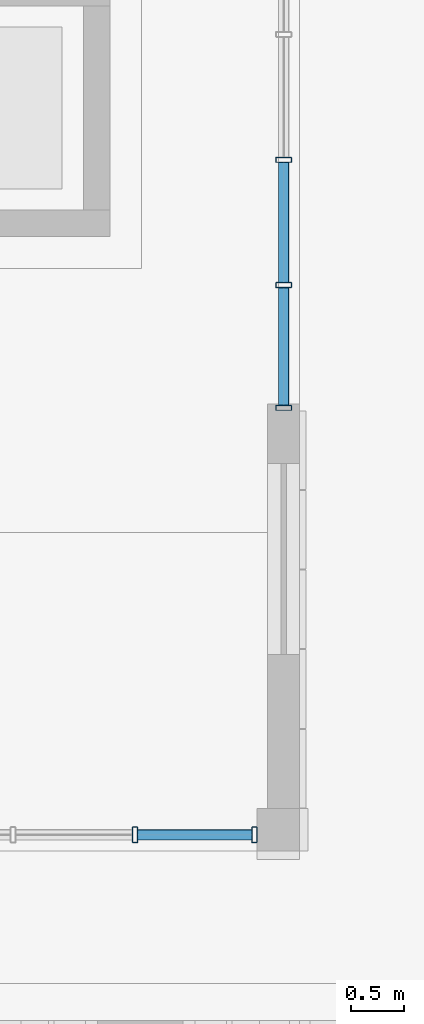
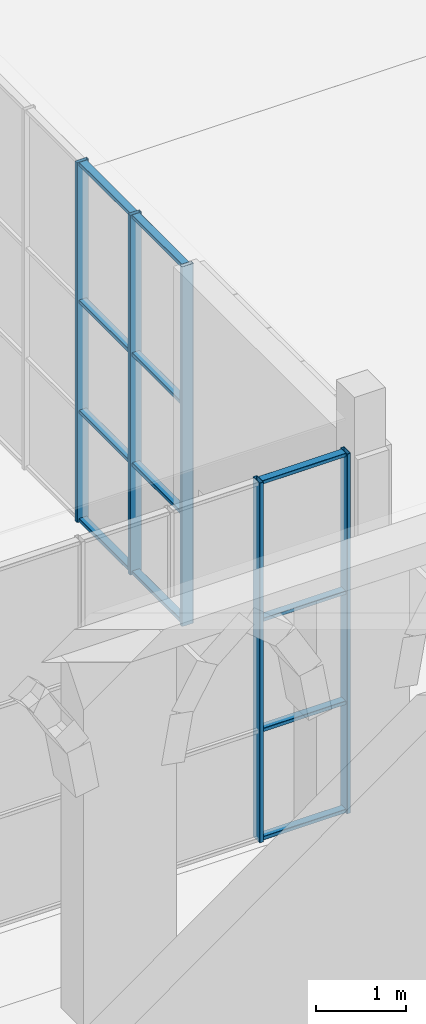
# One storey, part 29 of 125: 17 members, 2 elements without a shape of their own.
"""IFC4 building model written with IfcOpenShell, lengths in metres."""

from ifc_helpers import new_model, si_unit, direction, frame, origin, origin_2d, place, context, subcontext, project, spatial, hollow_rectangle, extrude, material, material_profile, profile_set, type_object, element, aggregate, save


model = new_model("IFC4")

# Units and contexts
model_context = context("Model", 3, precision=1e-05, world=origin(), true_north=direction((0.0, 1.0)))
body_context = subcontext(model_context, "Body", "Model", "MODEL_VIEW")
ifc_project = project(units=[si_unit("LENGTHUNIT", "METRE"), si_unit("AREAUNIT", "SQUARE_METRE"), si_unit("VOLUMEUNIT", "CUBIC_METRE"), si_unit("PLANEANGLEUNIT", "RADIAN"), si_unit("MASSUNIT", "GRAM", prefix="KILO")], contexts=[model_context])

# Site, building, storey
site_placement = place(None, origin())
site = spatial("IfcSite", under=ifc_project, at=site_placement, CompositionType="ELEMENT")
building_placement = place(site_placement, origin())
building = spatial("IfcBuilding", under=site, at=building_placement, Name="Sun Court Science Centre", CompositionType="ELEMENT")
storey_placement = place(building_placement, origin())
storey = spatial("IfcBuildingStorey", under=building, at=storey_placement, Name="L00", CompositionType="ELEMENT", Elevation=0.0)

# Curtain wall, members
ifc_material_1 = material(Name="Aluminium EN AW-6063 T6", Category="aluminium")
curtain_wall_type = type_object("IfcCurtainWallType", Name="Pavilion curtain wall 1200", PredefinedType="NOTDEFINED", material=ifc_material_1)
curtain_wall_1_placement = place(storey_placement, origin())
curtain_wall_1 = element("IfcCurtainWall", 1, at=curtain_wall_1_placement, inside=storey, type_object=curtain_wall_type, Name="Curtain wall V5 S L00 01", PredefinedType="NOTDEFINED")
ifc_material_2 = material(Name="Aluminium EN AW-6063 T6", Category="aluminium")
ifc_material_profile_1 = material_profile(ifc_material_2, hollow_rectangle(XDim=0.050048828125, YDim=0.14990234375, WallThickness=0.00390625, InnerFilletRadius=0.00390625, OuterFilletRadius=0.006103515625, at=origin_2d()), Name="AL 50x150x4")
ifc_profile_set_1 = profile_set([ifc_material_profile_1], Name="Aluminium EN AW-6063 T6")
member_type_1 = type_object("IfcMemberType", Name="Curtain wall mullion AL 50x150", PredefinedType="MULLION", material=ifc_profile_set_1)
member_1_placement = place(storey_placement, frame((64.449951171875, 36.14990234375, 0.0), z_axis=(0.0, 0.0, 1.0), x_axis=(-1.0, 0.0, 0.0)))
member_1 = element("IfcMember", 2, at=member_1_placement, type_object=member_type_1, Name="CW3-01 mullion 2", PredefinedType="MULLION", context=body_context, shape_type="SweptSolid", body=[
    extrude(hollow_rectangle(XDim=0.050048828125, YDim=0.14990234375, WallThickness=0.00390625, InnerFilletRadius=0.00390625, OuterFilletRadius=0.006103515625, at=origin_2d()), origin(), (0.0, 0.0, 1.0), 4.89990234375),
])
member_2_placement = place(storey_placement, frame((65.574951171875, 36.14990234375, 0.0), z_axis=(0.0, 0.0, 1.0), x_axis=(-1.0, 0.0, 0.0)))
member_2 = element("IfcMember", 3, at=member_2_placement, type_object=member_type_1, Name="CW3-01 mullion 1", PredefinedType="MULLION", context=body_context, shape_type="SweptSolid", body=[
    extrude(hollow_rectangle(XDim=0.050048828125, YDim=0.14990234375, WallThickness=0.00390625, InnerFilletRadius=0.00390625, OuterFilletRadius=0.006103515625, at=origin_2d()), origin(), (0.0, 0.0, 1.0), 4.89990234375),
])

curtain_wall_2_placement = place(storey_placement, origin())
curtain_wall_2 = element("IfcCurtainWall", 4, at=curtain_wall_2_placement, inside=storey, type_object=curtain_wall_type, Name="Curtain wall V5 E L00 01", PredefinedType="NOTDEFINED")
member_3_placement = place(storey_placement, frame((65.85009765625, 40.175048828125, 0.0), z_axis=(0.0, 0.0, 1.0), x_axis=(0.0, -1.0, 0.0)))
member_3 = element("IfcMember", 5, at=member_3_placement, type_object=member_type_1, Name="CW3-20 mullion 9", PredefinedType="MULLION", context=body_context, shape_type="SweptSolid", body=[
    extrude(hollow_rectangle(XDim=0.050048828125, YDim=0.14990234375, WallThickness=0.00390625, InnerFilletRadius=0.00390625, OuterFilletRadius=0.006103515625, at=origin_2d()), origin(), (0.0, 0.0, 1.0), 4.89990234375),
])
member_4_placement = place(storey_placement, frame((65.85009765625, 41.331298828125, 0.0), z_axis=(0.0, 0.0, 1.0), x_axis=(0.0, -1.0, 0.0)))
member_4 = element("IfcMember", 6, at=member_4_placement, type_object=member_type_1, Name="CW3-20 mullion 8", PredefinedType="MULLION", context=body_context, shape_type="SweptSolid", body=[
    extrude(hollow_rectangle(XDim=0.050048828125, YDim=0.14990234375, WallThickness=0.00390625, InnerFilletRadius=0.00390625, OuterFilletRadius=0.006103515625, at=origin_2d()), origin(), (0.0, 0.0, 1.0), 4.89990234375),
])
member_5_placement = place(storey_placement, frame((65.85009765625, 42.512451171875, 0.0), z_axis=(0.0, 0.0, 1.0), x_axis=(0.0, -1.0, 0.0)))
member_5 = element("IfcMember", 7, at=member_5_placement, type_object=member_type_1, Name="CW3-20 mullion 7", PredefinedType="MULLION", context=body_context, shape_type="SweptSolid", body=[
    extrude(hollow_rectangle(XDim=0.050048828125, YDim=0.14990234375, WallThickness=0.00390625, InnerFilletRadius=0.00390625, OuterFilletRadius=0.006103515625, at=origin_2d()), origin(), (0.0, 0.0, 1.0), 4.89990234375),
])

# Member
ifc_material_3 = material(Name="Aluminium EN AW-6063 T6", Category="aluminium")
ifc_material_profile_2 = material_profile(ifc_material_3, hollow_rectangle(XDim=0.050048828125, YDim=0.10009765625, WallThickness=0.00390625, InnerFilletRadius=0.00390625, OuterFilletRadius=0.006103515625, at=origin_2d()), Name="AL 50x100x4")
ifc_profile_set_2 = profile_set([ifc_material_profile_2], Name="Aluminium EN AW-6063 T6")
member_type_2 = type_object("IfcMemberType", Name="Curtain wall transom AL 50x100", PredefinedType="USERDEFINED", material=ifc_profile_set_2)
member_6_placement = place(storey_placement, frame((65.550048828125, 36.14990234375, 0.02490234375), z_axis=(-1.0, 0.0, 0.0), x_axis=(0.0, 0.0, 1.0)))
member_6 = element("IfcMember", 8, at=member_6_placement, type_object=member_type_2, Name="CW3-01 transom 1.1", ObjectType="TRANSOM", PredefinedType="USERDEFINED", context=body_context, shape_type="SweptSolid", body=[
    extrude(hollow_rectangle(XDim=0.050048828125, YDim=0.10009765625, WallThickness=0.00390625, InnerFilletRadius=0.00390625, OuterFilletRadius=0.006103515625, at=origin_2d()), origin(), (0.0, 0.0, 1.0), 1.074951171875),
])

member_7_placement = place(storey_placement, frame((65.550048828125, 36.14990234375, 1.5), z_axis=(-1.0, 0.0, 0.0), x_axis=(0.0, 0.0, 1.0)))
member_7 = element("IfcMember", 9, at=member_7_placement, type_object=member_type_2, Name="CW3-01 transom 1.2", ObjectType="TRANSOM", PredefinedType="USERDEFINED", context=body_context, shape_type="SweptSolid", body=[
    extrude(hollow_rectangle(XDim=0.050048828125, YDim=0.10009765625, WallThickness=0.00390625, InnerFilletRadius=0.00390625, OuterFilletRadius=0.006103515625, at=origin_2d()), origin(), (0.0, 0.0, 1.0), 1.074951171875),
])

member_8_placement = place(storey_placement, frame((65.550048828125, 36.14990234375, 3.0), z_axis=(-1.0, 0.0, 0.0), x_axis=(0.0, 0.0, 1.0)))
member_8 = element("IfcMember", 10, at=member_8_placement, type_object=member_type_2, Name="CW3-01 transom 1.3", ObjectType="TRANSOM", PredefinedType="USERDEFINED", context=body_context, shape_type="SweptSolid", body=[
    extrude(hollow_rectangle(XDim=0.050048828125, YDim=0.10009765625, WallThickness=0.00390625, InnerFilletRadius=0.00390625, OuterFilletRadius=0.006103515625, at=origin_2d()), origin(), (0.0, 0.0, 1.0), 1.074951171875),
])

member_9_placement = place(storey_placement, frame((65.550048828125, 36.14990234375, 4.875), z_axis=(-1.0, 0.0, 0.0), x_axis=(0.0, 0.0, 1.0)))
member_9 = element("IfcMember", 11, at=member_9_placement, type_object=member_type_2, Name="CW3-01 transom 1.4", ObjectType="TRANSOM", PredefinedType="USERDEFINED", context=body_context, shape_type="SweptSolid", body=[
    extrude(hollow_rectangle(XDim=0.050048828125, YDim=0.10009765625, WallThickness=0.00390625, InnerFilletRadius=0.00390625, OuterFilletRadius=0.006103515625, at=origin_2d()), origin(), (0.0, 0.0, 1.0), 1.074951171875),
])

aggregate(curtain_wall_1, [member_1, member_2, member_6, member_7, member_8, member_9])

member_10_placement = place(storey_placement, frame((65.85009765625, 41.30615234375, 0.02490234375), z_axis=(0.0, -1.0, 0.0), x_axis=(0.0, 0.0, 1.0)))
member_10 = element("IfcMember", 12, at=member_10_placement, type_object=member_type_2, Name="CW3-20 transom 8.1", ObjectType="TRANSOM", PredefinedType="USERDEFINED", context=body_context, shape_type="SweptSolid", body=[
    extrude(hollow_rectangle(XDim=0.050048828125, YDim=0.10009765625, WallThickness=0.00390625, InnerFilletRadius=0.00390625, OuterFilletRadius=0.006103515625, at=origin_2d()), origin(), (0.0, 0.0, 1.0), 1.106201171875),
])

member_11_placement = place(storey_placement, frame((65.85009765625, 42.487548828125, 0.02490234375), z_axis=(0.0, -1.0, 0.0), x_axis=(0.0, 0.0, 1.0)))
member_11 = element("IfcMember", 13, at=member_11_placement, type_object=member_type_2, Name="CW3-20 transom 7.1", ObjectType="TRANSOM", PredefinedType="USERDEFINED", context=body_context, shape_type="SweptSolid", body=[
    extrude(hollow_rectangle(XDim=0.050048828125, YDim=0.10009765625, WallThickness=0.00390625, InnerFilletRadius=0.00390625, OuterFilletRadius=0.006103515625, at=origin_2d()), origin(), (0.0, 0.0, 1.0), 1.13134765625),
])

member_12_placement = place(storey_placement, frame((65.85009765625, 41.30615234375, 1.5), z_axis=(0.0, -1.0, 0.0), x_axis=(0.0, 0.0, 1.0)))
member_12 = element("IfcMember", 14, at=member_12_placement, type_object=member_type_2, Name="CW3-20 transom 8.2", ObjectType="TRANSOM", PredefinedType="USERDEFINED", context=body_context, shape_type="SweptSolid", body=[
    extrude(hollow_rectangle(XDim=0.050048828125, YDim=0.10009765625, WallThickness=0.00390625, InnerFilletRadius=0.00390625, OuterFilletRadius=0.006103515625, at=origin_2d()), origin(), (0.0, 0.0, 1.0), 1.106201171875),
])

member_13_placement = place(storey_placement, frame((65.85009765625, 42.487548828125, 1.5), z_axis=(0.0, -1.0, 0.0), x_axis=(0.0, 0.0, 1.0)))
member_13 = element("IfcMember", 15, at=member_13_placement, type_object=member_type_2, Name="CW3-20 transom 7.2", ObjectType="TRANSOM", PredefinedType="USERDEFINED", context=body_context, shape_type="SweptSolid", body=[
    extrude(hollow_rectangle(XDim=0.050048828125, YDim=0.10009765625, WallThickness=0.00390625, InnerFilletRadius=0.00390625, OuterFilletRadius=0.006103515625, at=origin_2d()), origin(), (0.0, 0.0, 1.0), 1.13134765625),
])

member_14_placement = place(storey_placement, frame((65.85009765625, 41.30615234375, 3.0), z_axis=(0.0, -1.0, 0.0), x_axis=(0.0, 0.0, 1.0)))
member_14 = element("IfcMember", 16, at=member_14_placement, type_object=member_type_2, Name="CW3-20 transom 8.3", ObjectType="TRANSOM", PredefinedType="USERDEFINED", context=body_context, shape_type="SweptSolid", body=[
    extrude(hollow_rectangle(XDim=0.050048828125, YDim=0.10009765625, WallThickness=0.00390625, InnerFilletRadius=0.00390625, OuterFilletRadius=0.006103515625, at=origin_2d()), origin(), (0.0, 0.0, 1.0), 1.106201171875),
])

member_15_placement = place(storey_placement, frame((65.85009765625, 42.487548828125, 3.0), z_axis=(0.0, -1.0, 0.0), x_axis=(0.0, 0.0, 1.0)))
member_15 = element("IfcMember", 17, at=member_15_placement, type_object=member_type_2, Name="CW3-20 transom 7.3", ObjectType="TRANSOM", PredefinedType="USERDEFINED", context=body_context, shape_type="SweptSolid", body=[
    extrude(hollow_rectangle(XDim=0.050048828125, YDim=0.10009765625, WallThickness=0.00390625, InnerFilletRadius=0.00390625, OuterFilletRadius=0.006103515625, at=origin_2d()), origin(), (0.0, 0.0, 1.0), 1.13134765625),
])

member_16_placement = place(storey_placement, frame((65.85009765625, 41.30615234375, 4.875), z_axis=(0.0, -1.0, 0.0), x_axis=(0.0, 0.0, 1.0)))
member_16 = element("IfcMember", 18, at=member_16_placement, type_object=member_type_2, Name="CW3-20 transom 8.4", ObjectType="TRANSOM", PredefinedType="USERDEFINED", context=body_context, shape_type="SweptSolid", body=[
    extrude(hollow_rectangle(XDim=0.050048828125, YDim=0.10009765625, WallThickness=0.00390625, InnerFilletRadius=0.00390625, OuterFilletRadius=0.006103515625, at=origin_2d()), origin(), (0.0, 0.0, 1.0), 1.106201171875),
])

member_17_placement = place(storey_placement, frame((65.85009765625, 42.487548828125, 4.875), z_axis=(0.0, -1.0, 0.0), x_axis=(0.0, 0.0, 1.0)))
member_17 = element("IfcMember", 19, at=member_17_placement, type_object=member_type_2, Name="CW3-20 transom 7.4", ObjectType="TRANSOM", PredefinedType="USERDEFINED", context=body_context, shape_type="SweptSolid", body=[
    extrude(hollow_rectangle(XDim=0.050048828125, YDim=0.10009765625, WallThickness=0.00390625, InnerFilletRadius=0.00390625, OuterFilletRadius=0.006103515625, at=origin_2d()), origin(), (0.0, 0.0, 1.0), 1.13134765625),
])

aggregate(curtain_wall_2, [member_3, member_4, member_5, member_10, member_11, member_12, member_13, member_14, member_15, member_16, member_17])

save(model, "model.ifc")
